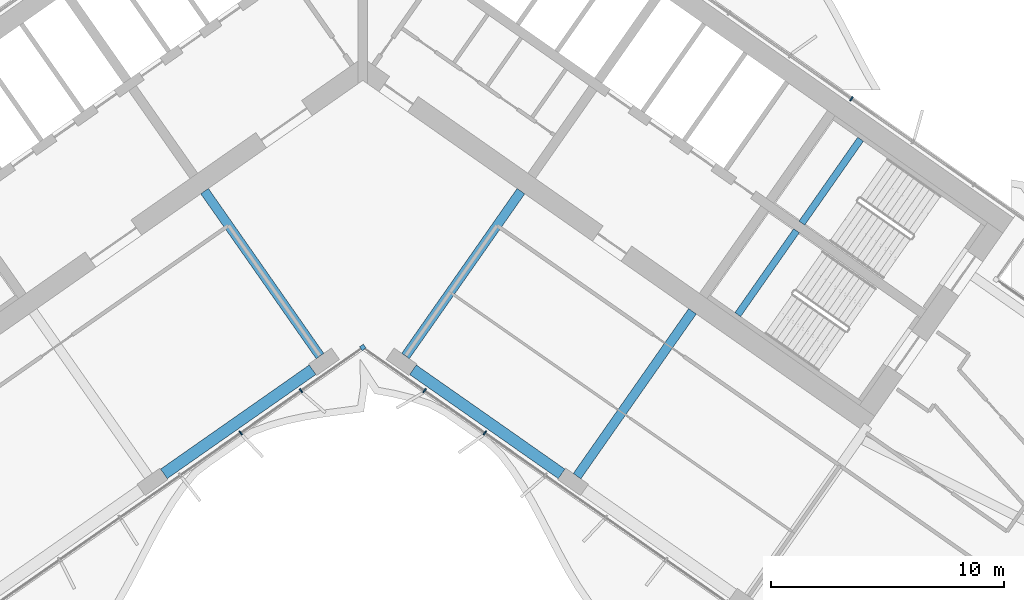
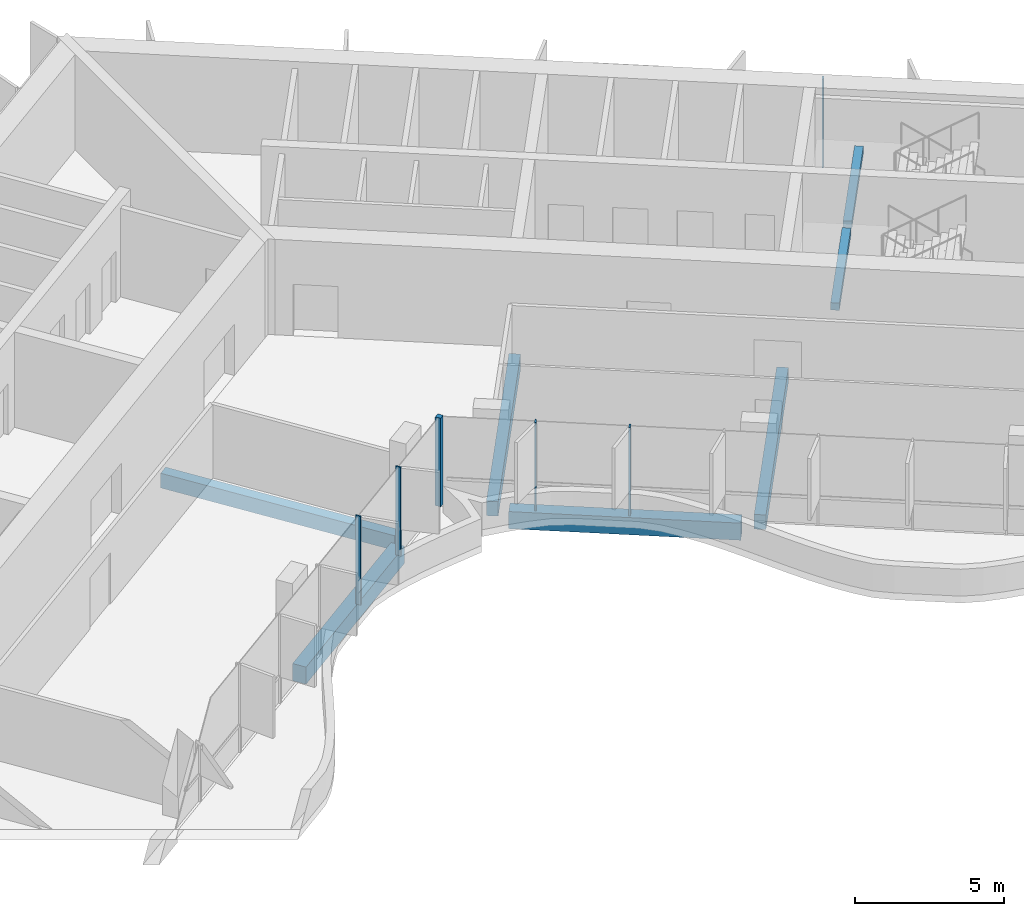
# One storey, part 6 of 22: 7 beams, 6 members, 2 elements without a shape of their own.
"""IFC4 building model written with IfcOpenShell, lengths in metres."""

from ifc_helpers import new_model, si_unit, direction, frame, origin, origin_2d, place, context, subcontext, project, spatial, rectangle, extrude, material, material_profile, profile_set, type_object, element, aggregate, save


model = new_model("IFC4")

# Units and contexts
model_context = context("Model", 3, precision=1e-05, world=origin(), true_north=direction((0.0, 1.0)))
body_context = subcontext(model_context, "Body", "Model", "MODEL_VIEW")
ifc_project = project(units=[si_unit("LENGTHUNIT", "METRE"), si_unit("AREAUNIT", "SQUARE_METRE"), si_unit("VOLUMEUNIT", "CUBIC_METRE"), si_unit("PLANEANGLEUNIT", "RADIAN"), si_unit("MASSUNIT", "GRAM", prefix="KILO")], contexts=[model_context])

# Site, building, storey
site_placement = place(None, origin())
site = spatial("IfcSite", under=ifc_project, at=site_placement, CompositionType="ELEMENT")
building_placement = place(site_placement, origin())
building = spatial("IfcBuilding", under=site, at=building_placement, Name="Tel Ilan Convention Tower", CompositionType="ELEMENT")
storey_placement = place(building_placement, frame((0.0, 0.0, 135.89990234375)))
storey = spatial("IfcBuildingStorey", under=building, at=storey_placement, Name="L30", CompositionType="ELEMENT", Elevation=135.89990234375)

# Beams
ifc_material_1 = material(Name="Concrete C40/50", Category="concrete")
ifc_material_profile_1 = material_profile(ifc_material_1, rectangle(XDim=0.39990234375, YDim=0.60009765625, at=origin_2d()), Name="RC 400x600")
ifc_profile_set_1 = profile_set([ifc_material_profile_1], Name="Concrete C40/50")
beam_type_1 = type_object("IfcBeamType", Name="Beam RC 400x600 Concrete C40/50", PredefinedType="BEAM", material=ifc_profile_set_1)
for number, where, z_axis, x_axis, name in (
    (1, (-1.83740234375, -13.06689453125, -0.579833984375), (-0.573574099654, 0.819153680457, 0.0), (-0.819153680457, -0.573574099654, 0.0), "L30 beam W-W-F1-core"),
    (2, (1.83740234375, -13.06689453125, -0.579833984375), (0.573574099654, 0.819153680457, 0.0), (-0.819153680457, 0.573574099654, 0.0), "L30 beam E-E-F1-core"),
    (3, (9.209716796875, -18.229248046875, -0.579833984375), (0.573574099654, 0.819153680457, 0.0), (-0.819153680457, 0.573574099654, 0.0), "L30 beam E-E-F2-core"),
):
    element("IfcBeam", number, at=place(storey_placement, frame(where, z_axis=z_axis, x_axis=x_axis)), inside=storey, type_object=beam_type_1, Name=name, PredefinedType="BEAM", context=body_context, shape_type="SweptSolid", body=[
        extrude(rectangle(XDim=0.39990234375, YDim=0.60009765625, at=origin_2d()), origin(), (0.0, 0.0, 1.0), 8.64990234375),
    ])
ifc_material_2 = material(Name="Concrete C40/50", Category="concrete")
ifc_material_profile_2 = material_profile(ifc_material_2, rectangle(XDim=0.5, YDim=0.699951171875, at=origin_2d()), Name="RC 500x700")
ifc_profile_set_2 = profile_set([ifc_material_profile_2], Name="Concrete C40/50")
beam_type_2 = type_object("IfcBeamType", Name="Beam RC 500x700 Concrete C40/50", PredefinedType="BEAM", material=ifc_profile_set_2)
for number, where, z_axis, x_axis, name in (
    (4, (-2.15673828125, -13.656982421875, -0.6298828125), (-0.819153977895, -0.573573674866, 0.0), (0.573573674866, -0.819153977895, 0.0), "L30 beam W-W-F1-W-F2"),
    (5, (2.15673828125, -13.656982421875, -0.6298828125), (0.819153977895, -0.573573674866, 0.0), (0.573573674866, 0.819153977895, 0.0), "L30 beam E-E-F1-E-F2"),
):
    element("IfcBeam", number, at=place(storey_placement, frame(where, z_axis=z_axis, x_axis=x_axis)), inside=storey, type_object=beam_type_2, Name=name, PredefinedType="BEAM", context=body_context, shape_type="SweptSolid", body=[
        extrude(rectangle(XDim=0.5, YDim=0.699951171875, at=origin_2d()), origin(), (0.0, 0.0, 1.0), 7.800048828125),
    ])

# Curtain wall, member
ifc_material_3 = material(Name="Aluminium, bronze anodised", Category="aluminium")
curtain_wall_type_1 = type_object("IfcCurtainWallType", Name="CW4 STICK CURTAIN WALL, OFFICE TINTED GLASS", PredefinedType="NOTDEFINED", material=ifc_material_3)
curtain_wall_1_placement = place(storey_placement, origin())
curtain_wall_1 = element("IfcCurtainWall", 6, at=curtain_wall_1_placement, inside=storey, type_object=curtain_wall_type_1, Name="Curtain wall CW4-24.02", PredefinedType="NOTDEFINED")
ifc_material_4 = material(Name="Aluminium, bronze anodised", Category="aluminium")
ifc_material_profile_3 = material_profile(ifc_material_4, rectangle(XDim=0.199951171875, YDim=0.199951171875, at=origin_2d()), Name="CW CORNER MULLION 200x200")
ifc_profile_set_3 = profile_set([ifc_material_profile_3], Name="Aluminium, bronze anodised")
member_type_1 = type_object("IfcMemberType", Name="CW CORNER MULLION 200x200", PredefinedType="MULLION", material=ifc_profile_set_3)
member_1_placement = place(storey_placement, frame((0.0, -12.696044921875, 0.0), z_axis=(0.0, 0.0, 1.0), x_axis=(0.819152044289, 0.573576436351, 0.0)))
member_1 = element("IfcMember", 7, at=member_1_placement, type_object=member_type_1, Name="Corner mullion", PredefinedType="MULLION", context=body_context, shape_type="SweptSolid", body=[
    extrude(rectangle(XDim=0.199951171875, YDim=0.199951171875, at=origin_2d()), origin(), (0.0, 0.0, 1.0), 3.6201171875),
])

ifc_material_5 = material(Name="Aluminium, bronze anodised", Category="aluminium")
curtain_wall_type_2 = type_object("IfcCurtainWallType", Name="CW2 STICK CURTAIN WALL, SPANDREL PANELS", PredefinedType="NOTDEFINED", material=ifc_material_5)
curtain_wall_2_placement = place(storey_placement, origin())
curtain_wall_2 = element("IfcCurtainWall", 8, at=curtain_wall_2_placement, inside=storey, type_object=curtain_wall_type_2, Name="Curtain wall CW2-24.01", PredefinedType="NOTDEFINED")
ifc_material_6 = material(Name="Aluminium, bronze anodised", Category="aluminium")
ifc_material_profile_4 = material_profile(ifc_material_6, rectangle(XDim=0.06005859375, YDim=0.199951171875, at=origin_2d()), Name="CW MULLION 60x200")
ifc_profile_set_4 = profile_set([ifc_material_profile_4], Name="Aluminium, bronze anodised")
member_type_2 = type_object("IfcMemberType", Name="CW MULLION 60x200", PredefinedType="MULLION", material=ifc_profile_set_4)
member_2_placement = place(storey_placement, frame((21.003662109375, -2.0107421875, 0.0), z_axis=(0.0, 0.0, 1.0), x_axis=(-0.819152044289, 0.573576436351, 0.0)))
member_2 = element("IfcMember", 9, at=member_2_placement, type_object=member_type_2, Name="Mullion", PredefinedType="MULLION", context=body_context, shape_type="SweptSolid", body=[
    extrude(rectangle(XDim=0.06005859375, YDim=0.199951171875, at=origin_2d()), origin(), (0.0, 0.0, 1.0), 3.6201171875),
])
aggregate(curtain_wall_2, [member_2])

# Member
member_3_placement = place(storey_placement, frame((-5.24755859375, -16.370361328125, 0.0), z_axis=(0.0, 0.0, 1.0), x_axis=(0.819152044289, 0.573576436351, 0.0)))
member_3 = element("IfcMember", 10, at=member_3_placement, type_object=member_type_2, Name="Mullion", PredefinedType="MULLION", context=body_context, shape_type="SweptSolid", body=[
    extrude(rectangle(XDim=0.06005859375, YDim=0.199951171875, at=origin_2d()), origin(), (0.0, 0.0, 1.0), 3.6201171875),
])

member_4_placement = place(storey_placement, frame((-2.65234375, -14.55322265625, 0.0), z_axis=(0.0, 0.0, 1.0), x_axis=(0.819152044289, 0.573576436351, 0.0)))
member_4 = element("IfcMember", 11, at=member_4_placement, type_object=member_type_2, Name="Mullion", PredefinedType="MULLION", context=body_context, shape_type="SweptSolid", body=[
    extrude(rectangle(XDim=0.06005859375, YDim=0.199951171875, at=origin_2d()), origin(), (0.0, 0.0, 1.0), 3.6201171875),
])

member_5_placement = place(storey_placement, frame((2.65234375, -14.55322265625, 0.0), z_axis=(0.0, 0.0, 1.0), x_axis=(0.819152044289, -0.573576436351, 0.0)))
member_5 = element("IfcMember", 12, at=member_5_placement, type_object=member_type_2, Name="Mullion", PredefinedType="MULLION", context=body_context, shape_type="SweptSolid", body=[
    extrude(rectangle(XDim=0.06005859375, YDim=0.199951171875, at=origin_2d()), origin(), (0.0, 0.0, 1.0), 3.6201171875),
])

member_6_placement = place(storey_placement, frame((5.24755859375, -16.370361328125, 0.0), z_axis=(0.0, 0.0, 1.0), x_axis=(0.819152044289, -0.573576436351, 0.0)))
member_6 = element("IfcMember", 13, at=member_6_placement, type_object=member_type_2, Name="Mullion", PredefinedType="MULLION", context=body_context, shape_type="SweptSolid", body=[
    extrude(rectangle(XDim=0.06005859375, YDim=0.199951171875, at=origin_2d()), origin(), (0.0, 0.0, 1.0), 3.6201171875),
])

aggregate(curtain_wall_1, [member_3, member_4, member_1, member_5, member_6])

# Beams
ifc_material_7 = material(Name="Concrete C40/50", Category="concrete")
ifc_material_profile_5 = material_profile(ifc_material_7, rectangle(XDim=0.300048828125, YDim=0.300048828125, at=origin_2d()), Name="RC 300x300")
ifc_profile_set_5 = profile_set([ifc_material_profile_5], Name="Concrete C40/50")
beam_type_3 = type_object("IfcBeamType", Name="Landing Beam RC 300x300 Concrete C40/50", PredefinedType="BEAM", material=ifc_profile_set_5)
beam_1_placement = place(storey_placement, frame((21.39404296875, -3.7490234375, 1.60009765625), z_axis=(-0.57354426506, -0.819174569928, 0.0), x_axis=(0.819174569928, -0.57354426506, 0.0)))
element("IfcBeam", 14, at=beam_1_placement, inside=storey, type_object=beam_type_3, Name="S3 landing beam L30.1", PredefinedType="BEAM", context=body_context, shape_type="SweptSolid", body=[
    extrude(rectangle(XDim=0.300048828125, YDim=0.300048828125, at=origin_2d()), origin(), (0.0, 0.0, 1.0), 4.400146484375),
])
beam_2_placement = place(storey_placement, frame((18.640869140625, -7.68115234375, 1.60009765625), z_axis=(-0.573570334442, -0.819156316858, 0.0), x_axis=(0.819156316858, -0.573570334442, 0.0)))
element("IfcBeam", 15, at=beam_2_placement, inside=storey, type_object=beam_type_3, Name="S4 landing beam L30.1", PredefinedType="BEAM", context=body_context, shape_type="SweptSolid", body=[
    extrude(rectangle(XDim=0.300048828125, YDim=0.300048828125, at=origin_2d()), origin(), (0.0, 0.0, 1.0), 4.39990234375),
])

save(model, "model.ifc")
